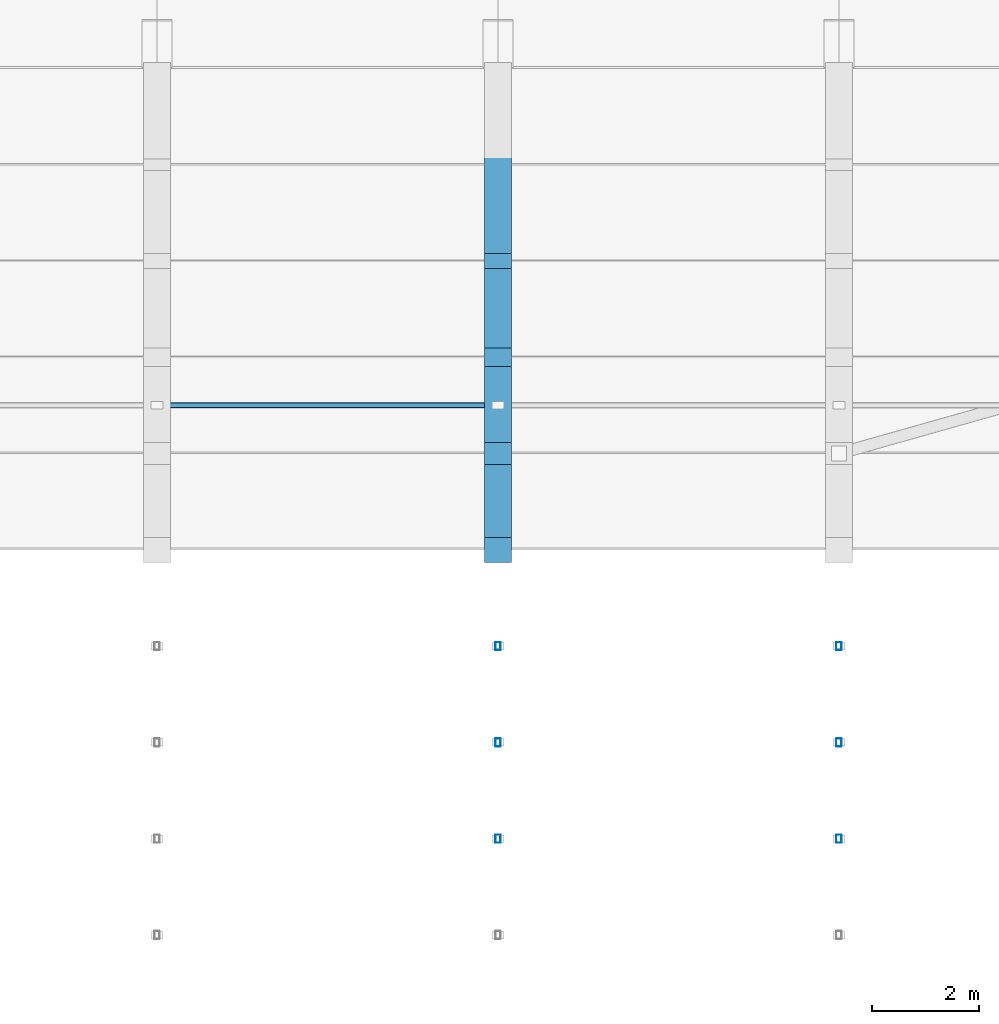
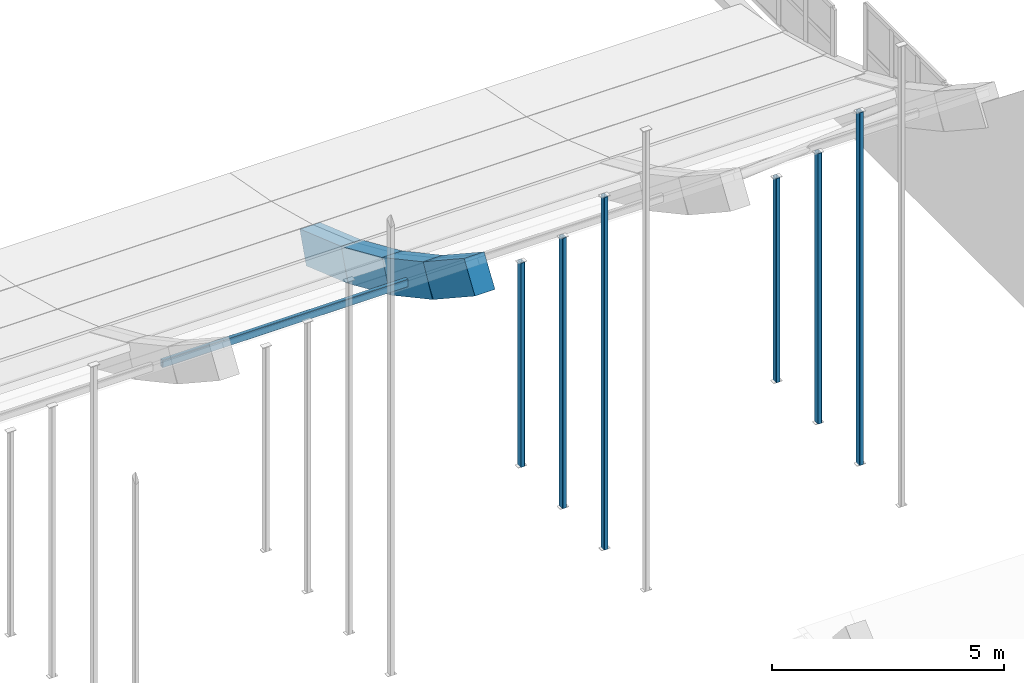
# One storey, part 31 of 77: 11 members.
"""IFC4 building model written with IfcOpenShell, lengths in metres."""

from ifc_helpers import new_model, si_unit, direction, frame, origin, origin_2d, place, context, subcontext, project, spatial, rectangle, hollow_rectangle, extrude, material, material_profile, profile_set, type_object, element, save


model = new_model("IFC4")

# Units and contexts
model_context = context("Model", 3, precision=1e-05, world=origin(), true_north=direction((0.0, 1.0)))
body_context = subcontext(model_context, "Body", "Model", "MODEL_VIEW")
ifc_project = project(units=[si_unit("LENGTHUNIT", "METRE"), si_unit("AREAUNIT", "SQUARE_METRE"), si_unit("VOLUMEUNIT", "CUBIC_METRE"), si_unit("PLANEANGLEUNIT", "RADIAN"), si_unit("MASSUNIT", "GRAM", prefix="KILO")], contexts=[model_context])

# Site, building, storey
site_placement = place(None, origin())
site = spatial("IfcSite", under=ifc_project, at=site_placement, CompositionType="ELEMENT")
building_placement = place(site_placement, origin())
building = spatial("IfcBuilding", under=site, at=building_placement, Name="Trellovar Central Fire Station", CompositionType="ELEMENT")
storey_placement = place(building_placement, frame((0.0, 0.0, 5.85009765625)))
storey = spatial("IfcBuildingStorey", under=building, at=storey_placement, Name="L02", CompositionType="ELEMENT", Elevation=5.85009765625)

# Members
ifc_material_1 = material(Name="Concrete C40/50", Category="concrete")
ifc_material_profile_1 = material_profile(ifc_material_1, rectangle(XDim=0.5, YDim=0.85009765625, at=origin_2d()), Name="RC500X850")
ifc_profile_set_1 = profile_set([ifc_material_profile_1], Name="Concrete C40/50")
member_type_1 = type_object("IfcMemberType", Name="MEM-AR2", PredefinedType="CHORD", material=ifc_profile_set_1)
member_1_placement = place(storey_placement, frame((85.800048828125, 31.6533203125, 3.73974609375), z_axis=(0.0, 0.835516018722, -0.549466088544), x_axis=(-1.0, 0.0, 0.0)))
element("IfcMember", 1, at=member_1_placement, inside=storey, type_object=member_type_1, Name="Parabolic arch rib AR-09 chord 11", PredefinedType="CHORD", context=body_context, shape_type="SweptSolid", body=[
    extrude(rectangle(XDim=0.5, YDim=0.85009765625, at=origin_2d()), origin(), (0.0, 0.0, 1.0), 2.146484375),
])
member_2_placement = place(storey_placement, frame((85.800048828125, 33.44677734375, 2.560302734375), z_axis=(0.0, 0.879319122317, -0.476233011379), x_axis=(-1.0, 0.0, 0.0)))
element("IfcMember", 2, at=member_2_placement, inside=storey, type_object=member_type_1, Name="Parabolic arch rib AR-09 chord 12", PredefinedType="CHORD", context=body_context, shape_type="SweptSolid", body=[
    extrude(rectangle(XDim=0.5, YDim=0.85009765625, at=origin_2d()), origin(), (0.0, 0.0, 1.0), 2.039306640625),
])
member_3_placement = place(storey_placement, frame((85.800048828125, 35.239990234375, 1.589111328125), z_axis=(0.0, 0.915259901496, -0.402863888569), x_axis=(-1.0, 0.0, 0.0)))
element("IfcMember", 3, at=member_3_placement, inside=storey, type_object=member_type_1, Name="Parabolic arch rib AR-09 chord 13", PredefinedType="CHORD", context=body_context, shape_type="SweptSolid", body=[
    extrude(rectangle(XDim=0.5, YDim=0.85009765625, at=origin_2d()), origin(), (0.0, 0.0, 1.0), 1.959228515625),
])
member_4_placement = place(storey_placement, frame((85.800048828125, 37.033203125, 0.7998046875), z_axis=(0.0, 0.94410254219, -0.329651922232), x_axis=(-1.0, 0.0, 0.0)))
element("IfcMember", 4, at=member_4_placement, inside=storey, type_object=member_type_1, Name="Parabolic arch rib AR-09 chord 14", PredefinedType="CHORD", context=body_context, shape_type="SweptSolid", body=[
    extrude(rectangle(XDim=0.5, YDim=0.85009765625, at=origin_2d()), origin(), (0.0, 0.0, 1.0), 1.899658203125),
])
ifc_material_2 = material(Name="Steel ASTM A500 Grade C", Category="steel")
ifc_material_profile_2 = material_profile(ifc_material_2, hollow_rectangle(XDim=0.1015625, YDim=0.203125, WallThickness=0.0087890625, InnerFilletRadius=0.0087890625, OuterFilletRadius=0.017822265625, at=origin_2d()), Name="HSS8X4X3/8")
ifc_profile_set_2 = profile_set([ifc_material_profile_2], Name="Steel ASTM A500 Grade C")
member_type_2 = type_object("IfcMemberType", Name="MEM-PU1", PredefinedType="PURLIN", material=ifc_profile_set_2)
member_5_placement = place(storey_placement, frame((79.449951171875, 34.343505859375, 1.98486328125), z_axis=(1.0, 0.0, 0.0), x_axis=(0.0, 1.0, 0.0)))
element("IfcMember", 5, at=member_5_placement, inside=storey, type_object=member_type_2, Name="Vault purlin V1-08-12", PredefinedType="PURLIN", context=body_context, shape_type="SweptSolid", body=[
    extrude(hollow_rectangle(XDim=0.1015625, YDim=0.203125, WallThickness=0.0087890625, InnerFilletRadius=0.0087890625, OuterFilletRadius=0.017822265625, at=origin_2d()), origin(), (0.0, 0.0, 1.0), 6.35009765625),
])
ifc_material_3 = material(Name="Steel ASTM A500 Grade C", Category="steel")
ifc_material_profile_3 = material_profile(ifc_material_3, hollow_rectangle(XDim=0.1015625, YDim=0.15234375, WallThickness=0.005859375, InnerFilletRadius=0.005859375, OuterFilletRadius=0.01171875, at=origin_2d()), Name="HSS6X4X1/4")
ifc_profile_set_3 = profile_set([ifc_material_profile_3], Name="Steel ASTM A500 Grade C")
member_type_3 = type_object("IfcMemberType", Name="MEM-ST2", PredefinedType="STRUT", material=ifc_profile_set_3)
member_6_placement = place(storey_placement, frame((85.800048828125, 26.273193359375, -0.2001953125), z_axis=(0.0, 0.0, 1.0), x_axis=(1.0, 0.0, 0.0)))
element("IfcMember", 6, at=member_6_placement, inside=storey, type_object=member_type_3, Name="V1 tied-arch web post 09 Y=26.3", PredefinedType="STRUT", context=body_context, shape_type="SweptSolid", body=[
    extrude(hollow_rectangle(XDim=0.1015625, YDim=0.15234375, WallThickness=0.005859375, InnerFilletRadius=0.005859375, OuterFilletRadius=0.01171875, at=origin_2d()), origin(), (0.0, 0.0, 1.0), 9.2705078125),
])
member_7_placement = place(storey_placement, frame((85.800048828125, 28.066650390625, -0.2001953125), z_axis=(0.0, 0.0, 1.0), x_axis=(1.0, 0.0, 0.0)))
element("IfcMember", 7, at=member_7_placement, inside=storey, type_object=member_type_3, Name="V1 tied-arch web post 09 Y=28.1", PredefinedType="STRUT", context=body_context, shape_type="SweptSolid", body=[
    extrude(hollow_rectangle(XDim=0.1015625, YDim=0.15234375, WallThickness=0.005859375, InnerFilletRadius=0.005859375, OuterFilletRadius=0.01171875, at=origin_2d()), origin(), (0.0, 0.0, 1.0), 7.107421875),
])
member_8_placement = place(storey_placement, frame((85.800048828125, 29.860107421875, -0.2001953125), z_axis=(0.0, 0.0, 1.0), x_axis=(1.0, 0.0, 0.0)))
element("IfcMember", 8, at=member_8_placement, inside=storey, type_object=member_type_3, Name="V1 tied-arch web post 09 Y=29.9", PredefinedType="STRUT", context=body_context, shape_type="SweptSolid", body=[
    extrude(hollow_rectangle(XDim=0.1015625, YDim=0.15234375, WallThickness=0.005859375, InnerFilletRadius=0.005859375, OuterFilletRadius=0.01171875, at=origin_2d()), origin(), (0.0, 0.0, 1.0), 5.36767578125),
])
member_9_placement = place(storey_placement, frame((92.14990234375, 26.273193359375, -0.2001953125), z_axis=(0.0, 0.0, 1.0), x_axis=(1.0, 0.0, 0.0)))
element("IfcMember", 9, at=member_9_placement, inside=storey, type_object=member_type_3, Name="V1 tied-arch web post 10 Y=26.3", PredefinedType="STRUT", context=body_context, shape_type="SweptSolid", body=[
    extrude(hollow_rectangle(XDim=0.1015625, YDim=0.15234375, WallThickness=0.005859375, InnerFilletRadius=0.005859375, OuterFilletRadius=0.01171875, at=origin_2d()), origin(), (0.0, 0.0, 1.0), 9.2705078125),
])
member_10_placement = place(storey_placement, frame((92.14990234375, 28.066650390625, -0.2001953125), z_axis=(0.0, 0.0, 1.0), x_axis=(1.0, 0.0, 0.0)))
element("IfcMember", 10, at=member_10_placement, inside=storey, type_object=member_type_3, Name="V1 tied-arch web post 10 Y=28.1", PredefinedType="STRUT", context=body_context, shape_type="SweptSolid", body=[
    extrude(hollow_rectangle(XDim=0.1015625, YDim=0.15234375, WallThickness=0.005859375, InnerFilletRadius=0.005859375, OuterFilletRadius=0.01171875, at=origin_2d()), origin(), (0.0, 0.0, 1.0), 7.107421875),
])
member_11_placement = place(storey_placement, frame((92.14990234375, 29.860107421875, -0.2001953125), z_axis=(0.0, 0.0, 1.0), x_axis=(1.0, 0.0, 0.0)))
element("IfcMember", 11, at=member_11_placement, inside=storey, type_object=member_type_3, Name="V1 tied-arch web post 10 Y=29.9", PredefinedType="STRUT", context=body_context, shape_type="SweptSolid", body=[
    extrude(hollow_rectangle(XDim=0.1015625, YDim=0.15234375, WallThickness=0.005859375, InnerFilletRadius=0.005859375, OuterFilletRadius=0.01171875, at=origin_2d()), origin(), (0.0, 0.0, 1.0), 5.36767578125),
])

save(model, "model.ifc")
